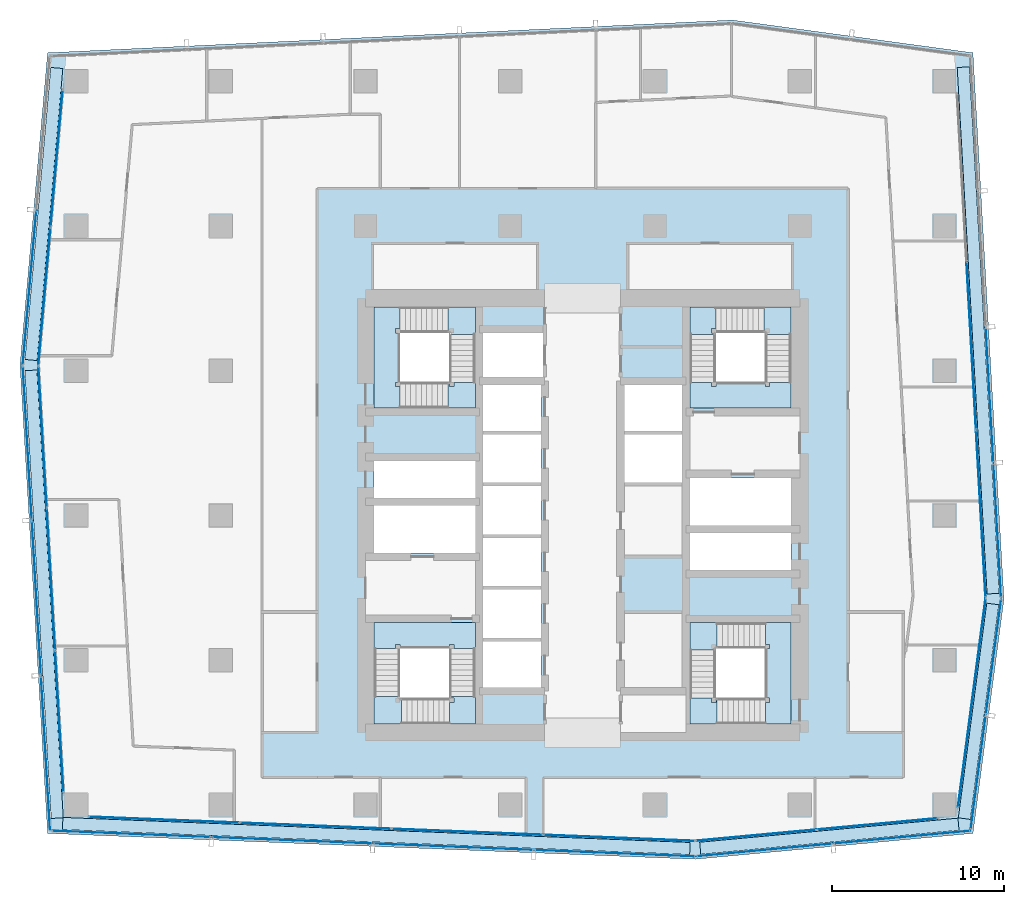
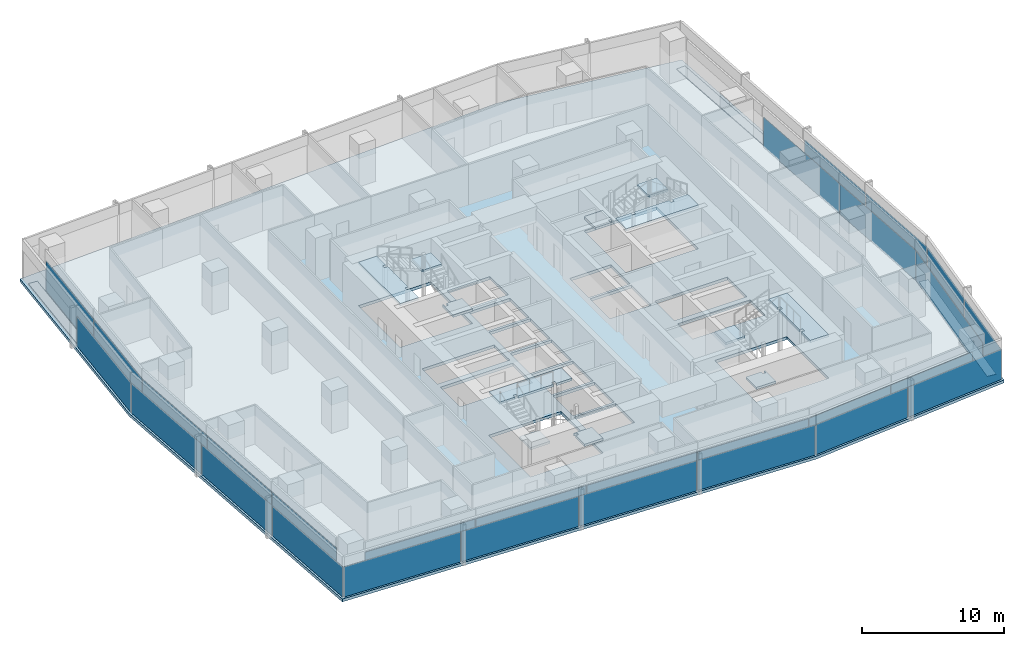
# One storey, part 26 of 38: 34 plates, 13 slabs, 16 elements without a shape of their own.
"""IFC4 building model written with IfcOpenShell, lengths in metres."""

from ifc_helpers import new_model, si_unit, direction, frame, origin, origin_2d, place, context, subcontext, project, spatial, polyline, rectangle, outline, extrude, material, layer, layer_set, type_object, element, aggregate, save


model = new_model("IFC4")

# Units and contexts
model_context = context("Model", 3, precision=1e-05, world=origin(), true_north=direction((0.0, 1.0)))
body_context = subcontext(model_context, "Body", "Model", "MODEL_VIEW")
ifc_project = project(units=[si_unit("LENGTHUNIT", "METRE"), si_unit("AREAUNIT", "SQUARE_METRE"), si_unit("VOLUMEUNIT", "CUBIC_METRE"), si_unit("PLANEANGLEUNIT", "RADIAN"), si_unit("MASSUNIT", "GRAM", prefix="KILO")], contexts=[model_context])

# Site, building, storey
site_placement = place(None, origin())
site = spatial("IfcSite", under=ifc_project, at=site_placement, CompositionType="ELEMENT")
building_placement = place(site_placement, origin())
building = spatial("IfcBuilding", under=site, at=building_placement, Name="Rekha Terrace Tower", CompositionType="ELEMENT")
storey_placement = place(building_placement, frame((0.0, 0.0, 198.949951171875)))
storey = spatial("IfcBuildingStorey", under=building, at=storey_placement, Name="L50", CompositionType="ELEMENT", Elevation=198.949951171875)

# Curtain wall, plates
ifc_material_1 = material(Name="Aluminium framing", Category="aluminium")
curtain_wall_type_1 = type_object("IfcCurtainWallType", Name="CW1 double skin inner glazing", PredefinedType="USERDEFINED", material=ifc_material_1)
curtain_wall_1_placement = place(storey_placement, origin())
curtain_wall_1 = element("IfcCurtainWall", 1, at=curtain_wall_1_placement, inside=storey, type_object=curtain_wall_type_1, Name="CW1 double skin inner glazing", ObjectType="DOUBLE SKIN INNER GLAZING", PredefinedType="USERDEFINED")
ifc_material_2 = material(Name="Double-glazed low-e unit 32", Category="glass")
ifc_layer_1 = layer(ifc_material_2, 0.031982421875)
ifc_layer_set_1 = layer_set([ifc_layer_1], Name="Double-glazed low-e unit 32")
plate_type_1 = type_object("IfcPlateType", Name="CW1 jumbo vision panel, double-glazed low-e unit 32", PredefinedType="CURTAIN_PANEL", material=ifc_layer_set_1)
plate_1_placement = place(storey_placement, frame((13.51318359375, 15.94091796875, 0.0), z_axis=(0.0, 0.0, 1.0), x_axis=(0.999204775798, -0.039872497061, 0.0)))
plate_1 = element("IfcPlate", 2, at=plate_1_placement, type_object=plate_type_1, Name="CW1 panel 1.1", PredefinedType="CURTAIN_PANEL", context=body_context, shape_type="SweptSolid", body=[
    extrude(rectangle(XDim=8.7138671875, YDim=0.031982421875, at=origin_2d()), origin(), (0.0, 0.0, 1.0), 2.60009765625),
])
plate_2_placement = place(storey_placement, frame((22.301025390625, 15.59033203125, 0.0), z_axis=(0.0, 0.0, 1.0), x_axis=(0.999204775798, -0.039872497061, 0.0)))
plate_2 = element("IfcPlate", 3, at=plate_2_placement, type_object=plate_type_1, Name="CW1 panel 2.1", PredefinedType="CURTAIN_PANEL", context=body_context, shape_type="SweptSolid", body=[
    extrude(rectangle(XDim=8.746337890625, YDim=0.031982421875, at=origin_2d()), origin(), (0.0, 0.0, 1.0), 2.60009765625),
])
plate_3_placement = place(storey_placement, frame((31.10546875, 15.239013671875, 0.0), z_axis=(0.0, 0.0, 1.0), x_axis=(0.999204775798, -0.039872497061, 0.0)))
plate_3 = element("IfcPlate", 4, at=plate_3_placement, type_object=plate_type_1, Name="CW1 panel 3.1", PredefinedType="CURTAIN_PANEL", context=body_context, shape_type="SweptSolid", body=[
    extrude(rectangle(XDim=8.746337890625, YDim=0.031982421875, at=origin_2d()), origin(), (0.0, 0.0, 1.0), 2.60009765625),
])
plate_4_placement = place(storey_placement, frame((39.926025390625, 14.886962890625, 0.0), z_axis=(0.0, 0.0, 1.0), x_axis=(0.999204775798, -0.039872497061, 0.0)))
plate_4 = element("IfcPlate", 5, at=plate_4_placement, type_object=plate_type_1, Name="CW1 panel 4.1", PredefinedType="CURTAIN_PANEL", context=body_context, shape_type="SweptSolid", body=[
    extrude(rectangle(XDim=8.77880859375, YDim=0.031982421875, at=origin_2d()), origin(), (0.0, 0.0, 1.0), 2.60009765625),
])
aggregate(curtain_wall_1, [plate_1, plate_2, plate_3, plate_4])

curtain_wall_2_placement = place(storey_placement, origin())
curtain_wall_2 = element("IfcCurtainWall", 6, at=curtain_wall_2_placement, inside=storey, type_object=curtain_wall_type_1, Name="CW1 double skin inner glazing", ObjectType="DOUBLE SKIN INNER GLAZING", PredefinedType="USERDEFINED")
plate_5_placement = place(storey_placement, frame((47.863037109375, 15.042724609375, 0.0), z_axis=(0.0, 0.0, 1.0), x_axis=(0.995693258742, 0.092708869564, 0.0)))
plate_5 = element("IfcPlate", 7, at=plate_5_placement, type_object=plate_type_1, Name="CW1 panel 1.1", PredefinedType="CURTAIN_PANEL", context=body_context, shape_type="SweptSolid", body=[
    extrude(rectangle(XDim=7.003173828125, YDim=0.031982421875, at=origin_2d()), origin(), (0.0, 0.0, 1.0), 2.60009765625),
])
plate_6_placement = place(storey_placement, frame((54.90087890625, 15.697998046875, 0.0), z_axis=(0.0, 0.0, 1.0), x_axis=(0.995693258742, 0.092708869564, 0.0)))
plate_6 = element("IfcPlate", 8, at=plate_6_placement, type_object=plate_type_1, Name="CW1 panel 2.1", PredefinedType="CURTAIN_PANEL", context=body_context, shape_type="SweptSolid", body=[
    extrude(rectangle(XDim=7.003173828125, YDim=0.031982421875, at=origin_2d()), origin(), (0.0, 0.0, 1.0), 2.60009765625),
])
aggregate(curtain_wall_2, [plate_5, plate_6])

# Curtain wall, plate
curtain_wall_3_placement = place(storey_placement, origin())
curtain_wall_3 = element("IfcCurtainWall", 9, at=curtain_wall_3_placement, inside=storey, type_object=curtain_wall_type_1, Name="CW1 double skin inner glazing", ObjectType="DOUBLE SKIN INNER GLAZING", PredefinedType="USERDEFINED")
plate_7_placement = place(storey_placement, frame((60.38330078125, 22.718505859375, 0.0), z_axis=(0.0, 0.0, 1.0), x_axis=(0.131303603093, 0.991342203185, 0.0)))
plate_7 = element("IfcPlate", 10, at=plate_7_placement, type_object=plate_type_1, Name="CW1 panel 1.1", PredefinedType="CURTAIN_PANEL", context=body_context, shape_type="SweptSolid", body=[
    extrude(rectangle(XDim=12.228759765625, YDim=0.031982421875, at=origin_2d()), origin(), (0.0, 0.0, 1.0), 2.60009765625),
])
aggregate(curtain_wall_3, [plate_7])

# Curtain wall, plates
curtain_wall_4_placement = place(storey_placement, origin())
curtain_wall_4 = element("IfcCurtainWall", 11, at=curtain_wall_4_placement, inside=storey, type_object=curtain_wall_type_1, Name="CW1 double skin inner glazing", ObjectType="DOUBLE SKIN INNER GLAZING", PredefinedType="USERDEFINED")
plate_8_placement = place(storey_placement, frame((60.90771484375, 33.68408203125, 0.0), z_axis=(0.0, 0.0, 1.0), x_axis=(-0.05667319486, 0.998392782919, 0.0)))
plate_8 = element("IfcPlate", 12, at=plate_8_placement, type_object=plate_type_1, Name="CW1 panel 1.1", PredefinedType="CURTAIN_PANEL", context=body_context, shape_type="SweptSolid", body=[
    extrude(rectangle(XDim=9.694091796875, YDim=0.031982421875, at=origin_2d()), origin(), (0.0, 0.0, 1.0), 2.60009765625),
])
plate_9_placement = place(storey_placement, frame((60.353759765625, 43.44384765625, 0.0), z_axis=(0.0, 0.0, 1.0), x_axis=(-0.05667319486, 0.998392782919, 0.0)))
plate_9 = element("IfcPlate", 13, at=plate_9_placement, type_object=plate_type_1, Name="CW1 panel 2.1", PredefinedType="CURTAIN_PANEL", context=body_context, shape_type="SweptSolid", body=[
    extrude(rectangle(XDim=9.7265625, YDim=0.031982421875, at=origin_2d()), origin(), (0.0, 0.0, 1.0), 2.60009765625),
])
aggregate(curtain_wall_4, [plate_8, plate_9])

curtain_wall_5_placement = place(storey_placement, origin())
curtain_wall_5 = element("IfcCurtainWall", 14, at=curtain_wall_5_placement, inside=storey, type_object=curtain_wall_type_1, Name="CW1 double skin inner glazing", ObjectType="DOUBLE SKIN INNER GLAZING", PredefinedType="USERDEFINED")
plate_10_placement = place(storey_placement, frame((7.273193359375, 54.32421875, 0.0), z_axis=(0.0, 0.0, 1.0), x_axis=(-0.087957985523, -0.996124185422, 0.0)))
plate_10 = element("IfcPlate", 15, at=plate_10_placement, type_object=plate_type_1, Name="CW1 panel 1.1", PredefinedType="CURTAIN_PANEL", context=body_context, shape_type="SweptSolid", body=[
    extrude(rectangle(XDim=7.950927734375, YDim=0.031982421875, at=origin_2d()), origin(), (0.0, 0.0, 1.0), 2.60009765625),
])
plate_11_placement = place(storey_placement, frame((6.565185546875, 46.306884765625, 0.0), z_axis=(0.0, 0.0, 1.0), x_axis=(-0.087957985523, -0.996124185422, 0.0)))
plate_11 = element("IfcPlate", 16, at=plate_11_placement, type_object=plate_type_1, Name="CW1 panel 2.1", PredefinedType="CURTAIN_PANEL", context=body_context, shape_type="SweptSolid", body=[
    extrude(rectangle(XDim=8.01611328125, YDim=0.031982421875, at=origin_2d()), origin(), (0.0, 0.0, 1.0), 2.60009765625),
])
aggregate(curtain_wall_5, [plate_10, plate_11])

curtain_wall_6_placement = place(storey_placement, origin())
curtain_wall_6 = element("IfcCurtainWall", 17, at=curtain_wall_6_placement, inside=storey, type_object=curtain_wall_type_1, Name="CW1 double skin inner glazing", ObjectType="DOUBLE SKIN INNER GLAZING", PredefinedType="USERDEFINED")
plate_12_placement = place(storey_placement, frame((6.457275390625, 38.1611328125, 0.0), z_axis=(0.0, 0.0, 1.0), x_axis=(0.058765082516, -0.998271839269, 0.0)))
plate_12 = element("IfcPlate", 18, at=plate_12_placement, type_object=plate_type_1, Name="CW1 panel 1.1", PredefinedType="CURTAIN_PANEL", context=body_context, shape_type="SweptSolid", body=[
    extrude(rectangle(XDim=8.19091796875, YDim=0.031982421875, at=origin_2d()), origin(), (0.0, 0.0, 1.0), 2.60009765625),
])
plate_13_placement = place(storey_placement, frame((6.943359375, 29.9033203125, 0.0), z_axis=(0.0, 0.0, 1.0), x_axis=(0.058765082516, -0.998271839269, 0.0)))
plate_13 = element("IfcPlate", 19, at=plate_13_placement, type_object=plate_type_1, Name="CW1 panel 2.1", PredefinedType="CURTAIN_PANEL", context=body_context, shape_type="SweptSolid", body=[
    extrude(rectangle(XDim=8.223388671875, YDim=0.031982421875, at=origin_2d()), origin(), (0.0, 0.0, 1.0), 2.60009765625),
])
plate_14_placement = place(storey_placement, frame((7.429443359375, 21.645263671875, 0.0), z_axis=(0.0, 0.0, 1.0), x_axis=(0.058765082516, -0.998271839269, 0.0)))
plate_14 = element("IfcPlate", 20, at=plate_14_placement, type_object=plate_type_1, Name="CW1 panel 3.1", PredefinedType="CURTAIN_PANEL", context=body_context, shape_type="SweptSolid", body=[
    extrude(rectangle(XDim=8.19091796875, YDim=0.031982421875, at=origin_2d()), origin(), (0.0, 0.0, 1.0), 2.60009765625),
])
aggregate(curtain_wall_6, [plate_12, plate_13, plate_14])

curtain_wall_type_2 = type_object("IfcCurtainWallType", Name="CW2 double skin outer glazing", PredefinedType="USERDEFINED", material=ifc_material_1)
curtain_wall_7_placement = place(storey_placement, origin())
curtain_wall_7 = element("IfcCurtainWall", 21, at=curtain_wall_7_placement, inside=storey, type_object=curtain_wall_type_2, Name="CW2 double skin outer glazing", ObjectType="DOUBLE SKIN OUTER GLAZING", PredefinedType="USERDEFINED")
ifc_material_3 = material(Name="Toughened single glazing 12", Category="glass")
ifc_layer_2 = layer(ifc_material_3, 0.011962890625)
ifc_layer_set_2 = layer_set([ifc_layer_2], Name="Toughened single glazing 12")
plate_type_2 = type_object("IfcPlateType", Name="CW2 jumbo vision panel, toughened single glazing 12", PredefinedType="CURTAIN_PANEL", material=ifc_layer_set_2)
plate_15_placement = place(storey_placement, frame((11.6005859375, 15.116455078125, 0.0), z_axis=(0.0, 0.0, 1.0), x_axis=(0.999204775799, -0.039872497044, 0.0)))
plate_15 = element("IfcPlate", 22, at=plate_15_placement, type_object=plate_type_2, Name="CW2 panel 1.1", PredefinedType="CURTAIN_PANEL", context=body_context, shape_type="SweptSolid", body=[
    extrude(rectangle(XDim=9.24609375, YDim=0.011962890625, at=origin_2d()), origin(), (0.0, 0.0, 1.0), 2.60009765625),
])
plate_16_placement = place(storey_placement, frame((20.939208984375, 14.743896484375, 0.0), z_axis=(0.0, 0.0, 1.0), x_axis=(0.999204775799, -0.039872497044, 0.0)))
plate_16 = element("IfcPlate", 23, at=plate_16_placement, type_object=plate_type_2, Name="CW2 panel 2.1", PredefinedType="CURTAIN_PANEL", context=body_context, shape_type="SweptSolid", body=[
    extrude(rectangle(XDim=9.2861328125, YDim=0.011962890625, at=origin_2d()), origin(), (0.0, 0.0, 1.0), 2.60009765625),
])
plate_17_placement = place(storey_placement, frame((30.2978515625, 14.370361328125, 0.0), z_axis=(0.0, 0.0, 1.0), x_axis=(0.999204775799, -0.039872497044, 0.0)))
plate_17 = element("IfcPlate", 24, at=plate_17_placement, type_object=plate_type_2, Name="CW2 panel 3.1", PredefinedType="CURTAIN_PANEL", context=body_context, shape_type="SweptSolid", body=[
    extrude(rectangle(XDim=9.2861328125, YDim=0.011962890625, at=origin_2d()), origin(), (0.0, 0.0, 1.0), 2.60009765625),
])
plate_18_placement = place(storey_placement, frame((39.676513671875, 13.996337890625, 0.0), z_axis=(0.0, 0.0, 1.0), x_axis=(0.999204775799, -0.039872497044, 0.0)))
plate_18 = element("IfcPlate", 25, at=plate_18_placement, type_object=plate_type_2, Name="CW2 panel 4.1", PredefinedType="CURTAIN_PANEL", context=body_context, shape_type="SweptSolid", body=[
    extrude(rectangle(XDim=9.326171875, YDim=0.011962890625, at=origin_2d()), origin(), (0.0, 0.0, 1.0), 2.60009765625),
])
aggregate(curtain_wall_7, [plate_15, plate_16, plate_17, plate_18])

curtain_wall_8_placement = place(storey_placement, origin())
curtain_wall_8 = element("IfcCurtainWall", 26, at=curtain_wall_8_placement, inside=storey, type_object=curtain_wall_type_2, Name="CW2 double skin outer glazing", ObjectType="DOUBLE SKIN OUTER GLAZING", PredefinedType="USERDEFINED")
plate_19_placement = place(storey_placement, frame((48.348876953125, 14.183837890625, 0.0), z_axis=(0.0, 0.0, 1.0), x_axis=(0.995693258747, 0.092708869512, 0.0)))
plate_19 = element("IfcPlate", 27, at=plate_19_placement, type_object=plate_type_2, Name="CW2 panel 1.1", PredefinedType="CURTAIN_PANEL", context=body_context, shape_type="SweptSolid", body=[
    extrude(rectangle(XDim=7.900634765625, YDim=0.011962890625, at=origin_2d()), origin(), (0.0, 0.0, 1.0), 2.60009765625),
])
plate_20_placement = place(storey_placement, frame((56.3349609375, 14.927490234375, 0.0), z_axis=(0.0, 0.0, 1.0), x_axis=(0.995693258747, 0.092708869512, 0.0)))
plate_20 = element("IfcPlate", 28, at=plate_20_placement, type_object=plate_type_2, Name="CW2 panel 2.1", PredefinedType="CURTAIN_PANEL", context=body_context, shape_type="SweptSolid", body=[
    extrude(rectangle(XDim=7.980712890625, YDim=0.011962890625, at=origin_2d()), origin(), (0.0, 0.0, 1.0), 2.60009765625),
])
aggregate(curtain_wall_8, [plate_19, plate_20])

curtain_wall_9_placement = place(storey_placement, origin())
curtain_wall_9 = element("IfcCurtainWall", 29, at=curtain_wall_9_placement, inside=storey, type_object=curtain_wall_type_2, Name="CW2 double skin outer glazing", ObjectType="DOUBLE SKIN OUTER GLAZING", PredefinedType="USERDEFINED")
plate_21_placement = place(storey_placement, frame((60.756103515625, 18.679443359375, 0.0), z_axis=(0.0, 0.0, 1.0), x_axis=(0.131303603075, 0.991342203187, 0.0)))
plate_21 = element("IfcPlate", 30, at=plate_21_placement, type_object=plate_type_2, Name="CW2 panel 1.1", PredefinedType="CURTAIN_PANEL", context=body_context, shape_type="SweptSolid", body=[
    extrude(rectangle(XDim=6.6630859375, YDim=0.011962890625, at=origin_2d()), origin(), (0.0, 0.0, 1.0), 2.60009765625),
])
plate_22_placement = place(storey_placement, frame((61.646728515625, 25.40380859375, 0.0), z_axis=(0.0, 0.0, 1.0), x_axis=(0.131303603075, 0.991342203187, 0.0)))
plate_22 = element("IfcPlate", 31, at=plate_22_placement, type_object=plate_type_2, Name="CW2 panel 2.1", PredefinedType="CURTAIN_PANEL", context=body_context, shape_type="SweptSolid", body=[
    extrude(rectangle(XDim=6.742919921875, YDim=0.011962890625, at=origin_2d()), origin(), (0.0, 0.0, 1.0), 2.60009765625),
])
aggregate(curtain_wall_9, [plate_21, plate_22])

curtain_wall_10_placement = place(storey_placement, origin())
curtain_wall_10 = element("IfcCurtainWall", 32, at=curtain_wall_10_placement, inside=storey, type_object=curtain_wall_type_2, Name="CW2 double skin outer glazing", ObjectType="DOUBLE SKIN OUTER GLAZING", PredefinedType="USERDEFINED")
plate_23_placement = place(storey_placement, frame((61.8642578125, 32.71142578125, 0.0), z_axis=(0.0, 0.0, 1.0), x_axis=(-0.05667319486, 0.998392782919, 0.0)))
plate_23 = element("IfcPlate", 33, at=plate_23_placement, type_object=plate_type_2, Name="CW2 panel 1.1", PredefinedType="CURTAIN_PANEL", context=body_context, shape_type="SweptSolid", body=[
    extrude(rectangle(XDim=7.783447265625, YDim=0.011962890625, at=origin_2d()), origin(), (0.0, 0.0, 1.0), 2.60009765625),
])
plate_24_placement = place(storey_placement, frame((61.41748046875, 40.582275390625, 0.0), z_axis=(0.0, 0.0, 1.0), x_axis=(-0.05667319486, 0.998392782919, 0.0)))
plate_24 = element("IfcPlate", 34, at=plate_24_placement, type_object=plate_type_2, Name="CW2 panel 2.1", PredefinedType="CURTAIN_PANEL", context=body_context, shape_type="SweptSolid", body=[
    extrude(rectangle(XDim=7.823486328125, YDim=0.011962890625, at=origin_2d()), origin(), (0.0, 0.0, 1.0), 2.60009765625),
])
aggregate(curtain_wall_10, [plate_23, plate_24])

# Curtain wall, plate
curtain_wall_11_placement = place(storey_placement, origin())
curtain_wall_11 = element("IfcCurtainWall", 35, at=curtain_wall_11_placement, inside=storey, type_object=curtain_wall_type_2, Name="CW2 double skin outer glazing", ObjectType="DOUBLE SKIN OUTER GLAZING", PredefinedType="USERDEFINED")
plate_25_placement = place(storey_placement, frame((5.705322265625, 46.800048828125, 0.0), z_axis=(0.0, 0.0, 1.0), x_axis=(-0.087957985453, -0.996124185428, 0.0)))
plate_25 = element("IfcPlate", 36, at=plate_25_placement, type_object=plate_type_2, Name="CW2 panel 2.1", PredefinedType="CURTAIN_PANEL", context=body_context, shape_type="SweptSolid", body=[
    extrude(rectangle(XDim=8.9794921875, YDim=0.011962890625, at=origin_2d()), origin(), (0.0, 0.0, 1.0), 2.60009765625),
])
aggregate(curtain_wall_11, [plate_25])

# Curtain wall, plates
curtain_wall_12_placement = place(storey_placement, origin())
curtain_wall_12 = element("IfcCurtainWall", 37, at=curtain_wall_12_placement, inside=storey, type_object=curtain_wall_type_2, Name="CW2 double skin outer glazing", ObjectType="DOUBLE SKIN OUTER GLAZING", PredefinedType="USERDEFINED")
plate_26_placement = place(storey_placement, frame((5.57666015625, 37.8037109375, 0.0), z_axis=(0.0, 0.0, 1.0), x_axis=(0.058765082499, -0.99827183927, 0.0)))
plate_26 = element("IfcPlate", 38, at=plate_26_placement, type_object=plate_type_2, Name="CW2 panel 1.1", PredefinedType="CURTAIN_PANEL", context=body_context, shape_type="SweptSolid", body=[
    extrude(rectangle(XDim=8.903564453125, YDim=0.011962890625, at=origin_2d()), origin(), (0.0, 0.0, 1.0), 2.60009765625),
])
plate_27_placement = place(storey_placement, frame((6.105712890625, 28.81591796875, 0.0), z_axis=(0.0, 0.0, 1.0), x_axis=(0.058765082499, -0.99827183927, 0.0)))
plate_27 = element("IfcPlate", 39, at=plate_27_placement, type_object=plate_type_2, Name="CW2 panel 2.1", PredefinedType="CURTAIN_PANEL", context=body_context, shape_type="SweptSolid", body=[
    extrude(rectangle(XDim=8.943359375, YDim=0.011962890625, at=origin_2d()), origin(), (0.0, 0.0, 1.0), 2.60009765625),
])
plate_28_placement = place(storey_placement, frame((6.63720703125, 19.7880859375, 0.0), z_axis=(0.0, 0.0, 1.0), x_axis=(0.058765082499, -0.99827183927, 0.0)))
plate_28 = element("IfcPlate", 40, at=plate_28_placement, type_object=plate_type_2, Name="CW2 panel 3.1", PredefinedType="CURTAIN_PANEL", context=body_context, shape_type="SweptSolid", body=[
    extrude(rectangle(XDim=8.9833984375, YDim=0.011962890625, at=origin_2d()), origin(), (0.0, 0.0, 1.0), 2.60009765625),
])
aggregate(curtain_wall_12, [plate_26, plate_27, plate_28])

# Plates
ifc_material_4 = material(Name="Galvanised steel open grating", Category="steel")
ifc_layer_3 = layer(ifc_material_4, 0.050048828125)
ifc_layer_set_3 = layer_set([ifc_layer_3], Name="Galvanised steel open grating")
plate_type_3 = type_object("IfcPlateType", Name="GT1 cavity walkway grating 50", PredefinedType="USERDEFINED", material=ifc_layer_set_3)
plate_29_placement = place(storey_placement, frame((25.8251953125, 14.999267578125, 0.0), z_axis=(0.0, 0.0, 1.0), x_axis=(0.999204775799, -0.039872497044, 0.0)))
element("IfcPlate", 41, at=plate_29_placement, inside=storey, type_object=plate_type_3, Name="Cavity walkway grating", ObjectType="CAVITY WALKWAY GRATING", PredefinedType="USERDEFINED", context=body_context, shape_type="SweptSolid", body=[
    extrude(rectangle(XDim=36.4267578125, YDim=0.705078125, at=origin_2d()), origin(), (0.0, 0.0, 1.0), 0.050048828125),
])
plate_30_placement = place(storey_placement, frame((52.116455078125, 14.98681640625, 0.0), z_axis=(0.0, 0.0, 1.0), x_axis=(0.995693258745, 0.092708869529, 0.0)))
element("IfcPlate", 42, at=plate_30_placement, inside=storey, type_object=plate_type_3, Name="Cavity walkway grating", ObjectType="CAVITY WALKWAY GRATING", PredefinedType="USERDEFINED", context=body_context, shape_type="SweptSolid", body=[
    extrude(rectangle(XDim=15.052734375, YDim=0.705078125, at=origin_2d()), origin(), (0.0, 0.0, 1.0), 0.050048828125),
])
plate_31_placement = place(storey_placement, frame((60.7734375, 22.237548828125, 0.0), z_axis=(0.0, 0.0, 1.0), x_axis=(0.131303603075, 0.991342203187, 0.0)))
element("IfcPlate", 43, at=plate_31_placement, inside=storey, type_object=plate_type_3, Name="Cavity walkway grating", ObjectType="CAVITY WALKWAY GRATING", PredefinedType="USERDEFINED", context=body_context, shape_type="SweptSolid", body=[
    extrude(rectangle(XDim=12.564697265625, YDim=0.705078125, at=origin_2d()), origin(), (0.0, 0.0, 1.0), 0.050048828125),
])
plate_32_placement = place(storey_placement, frame((60.753662109375, 44.338134765625, 0.0), z_axis=(0.0, 0.0, 1.0), x_axis=(-0.05667319486, 0.998392782919, 0.0)))
element("IfcPlate", 44, at=plate_32_placement, inside=storey, type_object=plate_type_3, Name="Cavity walkway grating", ObjectType="CAVITY WALKWAY GRATING", PredefinedType="USERDEFINED", context=body_context, shape_type="SweptSolid", body=[
    extrude(rectangle(XDim=30.6005859375, YDim=0.705078125, at=origin_2d()), origin(), (0.0, 0.0, 1.0), 0.050048828125),
])
plate_33_placement = place(storey_placement, frame((6.5361328125, 51.093505859375, 0.0), z_axis=(0.0, 0.0, 1.0), x_axis=(-0.087957985471, -0.996124185427, 0.0)))
element("IfcPlate", 45, at=plate_33_placement, inside=storey, type_object=plate_type_3, Name="Cavity walkway grating", ObjectType="CAVITY WALKWAY GRATING", PredefinedType="USERDEFINED", context=body_context, shape_type="SweptSolid", body=[
    extrude(rectangle(XDim=17.013427734375, YDim=0.705078125, at=origin_2d()), origin(), (0.0, 0.0, 1.0), 0.050048828125),
])
plate_34_placement = place(storey_placement, frame((6.5439453125, 29.029296875, 0.0), z_axis=(0.0, 0.0, 1.0), x_axis=(0.058765082516, -0.998271839269, 0.0)))
element("IfcPlate", 46, at=plate_34_placement, inside=storey, type_object=plate_type_3, Name="Cavity walkway grating", ObjectType="CAVITY WALKWAY GRATING", PredefinedType="USERDEFINED", context=body_context, shape_type="SweptSolid", body=[
    extrude(rectangle(XDim=26.029541015625, YDim=0.705078125, at=origin_2d()), origin(), (0.0, 0.0, 1.0), 0.050048828125),
])

# Stair, slabs
ifc_material_5 = material(Name="Concrete M40", Category="concrete")
stair_type = type_object("IfcStairType", Name="ST30 stair, 30 risers of 125, going 310, 1500 wide flights, 3 flights", PredefinedType="HALF_TURN_STAIR", material=ifc_material_5)
stair_1_placement = place(storey_placement, origin())
stair_1 = element("IfcStair", 47, at=stair_1_placement, inside=storey, type_object=stair_type, Name="Stair ST1 L50 to L51", PredefinedType="HALF_TURN_STAIR")
ifc_layer_4 = layer(ifc_material_5, 0.199951171875)
ifc_layer_set_4 = layer_set([ifc_layer_4], Name="Concrete M40")
slab_type_1 = type_object("IfcSlabType", Name="LD1 200 concrete stair landing", PredefinedType="LANDING", material=ifc_layer_set_4)
slab_1_placement = place(storey_placement, frame((0.0, 0.0, 1.050048828125)))
slab_1 = element("IfcSlab", 48, at=slab_1_placement, type_object=slab_type_1, Name="ST1 landing 1", PredefinedType="LANDING", context=body_context, shape_type="SweptSolid", body=[
    extrude(outline(polyline([(30.074951171875, 21.5), (31.574951171875, 21.5), (31.574951171875, 23.0849609375), (30.074951171875, 23.0849609375), (30.074951171875, 23.0), (30.324951171875, 23.0), (30.324951171875, 22.75), (30.074951171875, 22.75), (30.074951171875, 21.5)])), origin(), (0.0, 0.0, 1.0), 0.199951171875),
])
slab_2_placement = place(storey_placement, frame((0.0, 0.0, 2.300048828125)))
slab_2 = element("IfcSlab", 49, at=slab_2_placement, type_object=slab_type_1, Name="ST1 landing 2", PredefinedType="LANDING", context=body_context, shape_type="SweptSolid", body=[
    extrude(outline(polyline([(27.199951171875, 23.0849609375), (25.699951171875, 23.0849609375), (25.699951171875, 21.5), (27.284912109375, 21.5), (27.284912109375, 23.0), (27.199951171875, 23.0), (27.199951171875, 23.0849609375)])), origin(), (0.0, 0.0, 1.0), 0.199951171875),
])
slab_3_placement = place(storey_placement, frame((0.0, 0.0, 3.550048828125)))
slab_3 = element("IfcSlab", 50, at=slab_3_placement, type_object=slab_type_1, Name="ST1 landing 3", PredefinedType="LANDING", context=body_context, shape_type="SweptSolid", body=[
    extrude(outline(polyline([(31.574951171875, 25.875), (31.574951171875, 27.375), (25.699951171875, 27.375), (25.699951171875, 25.875), (26.949951171875, 25.875), (26.949951171875, 26.125), (27.199951171875, 26.125), (27.199951171875, 25.875), (30.074951171875, 25.875), (30.074951171875, 26.125), (30.324951171875, 26.125), (30.324951171875, 25.875), (31.574951171875, 25.875)])), origin(), (0.0, 0.0, 1.0), 0.199951171875),
])
aggregate(stair_1, [slab_1, slab_2, slab_3])

stair_2_placement = place(storey_placement, origin())
stair_2 = element("IfcStair", 51, at=stair_2_placement, inside=storey, type_object=stair_type, Name="Stair ST2 L50 to L51", PredefinedType="HALF_TURN_STAIR")
slab_4_placement = place(storey_placement, frame((0.0, 0.0, 1.050048828125)))
slab_4 = element("IfcSlab", 52, at=slab_4_placement, type_object=slab_type_1, Name="ST2 landing 1", PredefinedType="LANDING", context=body_context, shape_type="SweptSolid", body=[
    extrude(outline(polyline([(45.52490234375, 45.699951171875), (44.02490234375, 45.699951171875), (44.02490234375, 44.114990234375), (45.52490234375, 44.114990234375), (45.52490234375, 44.199951171875), (45.27490234375, 44.199951171875), (45.27490234375, 44.449951171875), (45.52490234375, 44.449951171875), (45.52490234375, 45.699951171875)])), origin(), (0.0, 0.0, 1.0), 0.199951171875),
])
slab_5_placement = place(storey_placement, frame((0.0, 0.0, 2.300048828125)))
slab_5 = element("IfcSlab", 53, at=slab_5_placement, type_object=slab_type_1, Name="ST2 landing 2", PredefinedType="LANDING", context=body_context, shape_type="SweptSolid", body=[
    extrude(outline(polyline([(48.39990234375, 44.114990234375), (49.89990234375, 44.114990234375), (49.89990234375, 45.699951171875), (48.31494140625, 45.699951171875), (48.31494140625, 44.199951171875), (48.39990234375, 44.199951171875), (48.39990234375, 44.114990234375)])), origin(), (0.0, 0.0, 1.0), 0.199951171875),
])
slab_6_placement = place(storey_placement, frame((0.0, 0.0, 3.550048828125)))
slab_6 = element("IfcSlab", 54, at=slab_6_placement, type_object=slab_type_1, Name="ST2 landing 3", PredefinedType="LANDING", context=body_context, shape_type="SweptSolid", body=[
    extrude(outline(polyline([(44.02490234375, 41.324951171875), (44.02490234375, 39.824951171875), (49.89990234375, 39.824951171875), (49.89990234375, 41.324951171875), (48.64990234375, 41.324951171875), (48.64990234375, 41.074951171875), (48.39990234375, 41.074951171875), (48.39990234375, 41.324951171875), (45.52490234375, 41.324951171875), (45.52490234375, 41.074951171875), (45.27490234375, 41.074951171875), (45.27490234375, 41.324951171875), (44.02490234375, 41.324951171875)])), origin(), (0.0, 0.0, 1.0), 0.199951171875),
])
aggregate(stair_2, [slab_4, slab_5, slab_6])

stair_3_placement = place(storey_placement, origin())
stair_3 = element("IfcStair", 55, at=stair_3_placement, inside=storey, type_object=stair_type, Name="Stair ST3 L50 to L51", PredefinedType="HALF_TURN_STAIR")
slab_7_placement = place(storey_placement, frame((0.0, 0.0, 1.050048828125)))
slab_7 = element("IfcSlab", 56, at=slab_7_placement, type_object=slab_type_1, Name="ST3 landing 1", PredefinedType="LANDING", context=body_context, shape_type="SweptSolid", body=[
    extrude(outline(polyline([(44.02490234375, 23.0), (44.02490234375, 21.5), (45.610107421875, 21.5), (45.610107421875, 23.0), (45.52490234375, 23.0), (45.52490234375, 22.75), (45.27490234375, 22.75), (45.27490234375, 23.0), (44.02490234375, 23.0)])), origin(), (0.0, 0.0, 1.0), 0.199951171875),
])
slab_8_placement = place(storey_placement, frame((0.0, 0.0, 2.300048828125)))
slab_8 = element("IfcSlab", 57, at=slab_8_placement, type_object=slab_type_1, Name="ST3 landing 2", PredefinedType="LANDING", context=body_context, shape_type="SweptSolid", body=[
    extrude(outline(polyline([(45.610107421875, 25.875), (45.610107421875, 27.375), (44.02490234375, 27.375), (44.02490234375, 25.7900390625), (45.52490234375, 25.7900390625), (45.52490234375, 25.875), (45.610107421875, 25.875)])), origin(), (0.0, 0.0, 1.0), 0.199951171875),
])
slab_9_placement = place(storey_placement, frame((0.0, 0.0, 3.550048828125)))
slab_9 = element("IfcSlab", 58, at=slab_9_placement, type_object=slab_type_1, Name="ST3 landing 3", PredefinedType="LANDING", context=body_context, shape_type="SweptSolid", body=[
    extrude(outline(polyline([(48.39990234375, 21.5), (49.89990234375, 21.5), (49.89990234375, 27.375), (48.39990234375, 27.375), (48.39990234375, 26.125), (48.64990234375, 26.125), (48.64990234375, 25.875), (48.39990234375, 25.875), (48.39990234375, 23.0), (48.64990234375, 23.0), (48.64990234375, 22.75), (48.39990234375, 22.75), (48.39990234375, 21.5)])), origin(), (0.0, 0.0, 1.0), 0.199951171875),
])
aggregate(stair_3, [slab_7, slab_8, slab_9])

stair_4_placement = place(storey_placement, origin())
stair_4 = element("IfcStair", 59, at=stair_4_placement, inside=storey, type_object=stair_type, Name="Stair ST4 L50 to L51", PredefinedType="HALF_TURN_STAIR")
slab_10_placement = place(storey_placement, frame((0.0, 0.0, 1.050048828125)))
slab_10 = element("IfcSlab", 60, at=slab_10_placement, type_object=slab_type_1, Name="ST4 landing 1", PredefinedType="LANDING", context=body_context, shape_type="SweptSolid", body=[
    extrude(outline(polyline([(31.574951171875, 41.324951171875), (31.574951171875, 39.824951171875), (29.989990234375, 39.824951171875), (29.989990234375, 41.324951171875), (30.074951171875, 41.324951171875), (30.074951171875, 41.074951171875), (30.324951171875, 41.074951171875), (30.324951171875, 41.324951171875), (31.574951171875, 41.324951171875)])), origin(), (0.0, 0.0, 1.0), 0.199951171875),
])
slab_11_placement = place(storey_placement, frame((0.0, 0.0, 2.300048828125)))
slab_11 = element("IfcSlab", 61, at=slab_11_placement, type_object=slab_type_1, Name="ST4 landing 2", PredefinedType="LANDING", context=body_context, shape_type="SweptSolid", body=[
    extrude(outline(polyline([(29.989990234375, 44.199951171875), (29.989990234375, 45.699951171875), (31.574951171875, 45.699951171875), (31.574951171875, 44.114990234375), (30.074951171875, 44.114990234375), (30.074951171875, 44.199951171875), (29.989990234375, 44.199951171875)])), origin(), (0.0, 0.0, 1.0), 0.199951171875),
])
slab_12_placement = place(storey_placement, frame((0.0, 0.0, 3.550048828125)))
slab_12 = element("IfcSlab", 62, at=slab_12_placement, type_object=slab_type_1, Name="ST4 landing 3", PredefinedType="LANDING", context=body_context, shape_type="SweptSolid", body=[
    extrude(outline(polyline([(27.199951171875, 39.824951171875), (25.699951171875, 39.824951171875), (25.699951171875, 45.699951171875), (27.199951171875, 45.699951171875), (27.199951171875, 44.449951171875), (26.949951171875, 44.449951171875), (26.949951171875, 44.199951171875), (27.199951171875, 44.199951171875), (27.199951171875, 41.324951171875), (26.949951171875, 41.324951171875), (26.949951171875, 41.074951171875), (27.199951171875, 41.074951171875), (27.199951171875, 39.824951171875)])), origin(), (0.0, 0.0, 1.0), 0.199951171875),
])
aggregate(stair_4, [slab_10, slab_11, slab_12])

# Slab
ifc_material_6 = material(Name="Concrete M50", Category="concrete")
ifc_layer_5 = layer(ifc_material_6, 0.25)
ifc_layer_set_5 = layer_set([ifc_layer_5], Name="Concrete M50")
slab_type_2 = type_object("IfcSlabType", Name="SL4 250 post-tensioned flat plate", PredefinedType="FLOOR", material=ifc_layer_set_5)
slab_13_placement = place(storey_placement, frame((0.0, 0.0, -0.25)))
element("IfcSlab", 63, at=slab_13_placement, inside=storey, type_object=slab_type_2, Name="Post-tensioned flat plate L50", PredefinedType="FLOOR", context=body_context, shape_type="SweptSolid", body=[
    extrude(outline(polyline([(5.14990234375, 42.330078125), (6.75, 15.14990234375), (44.340087890625, 13.64990234375), (60.449951171875, 15.14990234375), (62.25, 28.739990234375), (60.449951171875, 60.449951171875), (46.488037109375, 62.35009765625), (6.75, 60.449951171875), (5.14990234375, 42.330078125)]), holes=[polyline([(31.574951171875, 27.375), (31.574951171875, 21.5), (25.699951171875, 21.5), (25.699951171875, 27.375), (31.574951171875, 27.375)]), polyline([(35.375, 26.300048828125), (35.375, 23.625), (32.02490234375, 23.625), (32.02490234375, 26.300048828125), (35.375, 26.300048828125)]), polyline([(35.375, 29.300048828125), (35.375, 26.5), (32.02490234375, 26.5), (32.02490234375, 29.300048828125), (35.375, 29.300048828125)]), polyline([(35.375, 32.300048828125), (35.375, 29.5), (32.02490234375, 29.5), (32.02490234375, 32.300048828125), (35.375, 32.300048828125)]), polyline([(31.574951171875, 34.175048828125), (31.574951171875, 31.425048828125), (25.699951171875, 31.425048828125), (25.699951171875, 34.175048828125), (31.574951171875, 34.175048828125)]), polyline([(35.375, 35.300048828125), (35.375, 32.5), (32.02490234375, 32.5), (32.02490234375, 35.300048828125), (35.375, 35.300048828125)]), polyline([(31.574951171875, 36.77490234375), (31.574951171875, 34.625), (25.699951171875, 34.625), (25.699951171875, 36.77490234375), (31.574951171875, 36.77490234375)]), polyline([(35.375, 38.300048828125), (35.375, 35.5), (32.02490234375, 35.5), (32.02490234375, 38.300048828125), (35.375, 38.300048828125)]), polyline([(31.574951171875, 45.699951171875), (31.574951171875, 39.824951171875), (25.699951171875, 39.824951171875), (25.699951171875, 45.699951171875), (31.574951171875, 45.699951171875)]), polyline([(49.89990234375, 27.375), (49.89990234375, 21.5), (44.02490234375, 21.5), (44.02490234375, 27.375), (49.89990234375, 27.375)]), polyline([(49.89990234375, 32.574951171875), (49.89990234375, 30.425048828125), (44.02490234375, 30.425048828125), (44.02490234375, 32.574951171875), (49.89990234375, 32.574951171875)]), polyline([(49.89990234375, 35.77490234375), (49.89990234375, 33.02490234375), (44.02490234375, 33.02490234375), (44.02490234375, 35.77490234375), (49.89990234375, 35.77490234375)]), polyline([(43.574951171875, 38.300048828125), (43.574951171875, 35.5), (40.22509765625, 35.5), (40.22509765625, 38.300048828125), (43.574951171875, 38.300048828125)]), polyline([(35.375, 41.175048828125), (35.375, 38.5), (32.02490234375, 38.5), (32.02490234375, 41.175048828125), (35.375, 41.175048828125)]), polyline([(43.574951171875, 41.175048828125), (43.574951171875, 38.5), (40.22509765625, 38.5), (40.22509765625, 41.175048828125), (43.574951171875, 41.175048828125)]), polyline([(49.89990234375, 39.824951171875), (44.02490234375, 39.824951171875), (44.02490234375, 45.699951171875), (49.89990234375, 45.699951171875), (49.89990234375, 39.824951171875)]), polyline([(35.5, 41.625), (32.02490234375, 41.625), (32.02490234375, 44.175048828125), (35.5, 44.175048828125), (35.5, 41.625)])]), origin(), (0.0, 0.0, 1.0), 0.25),
])

save(model, "model.ifc")
